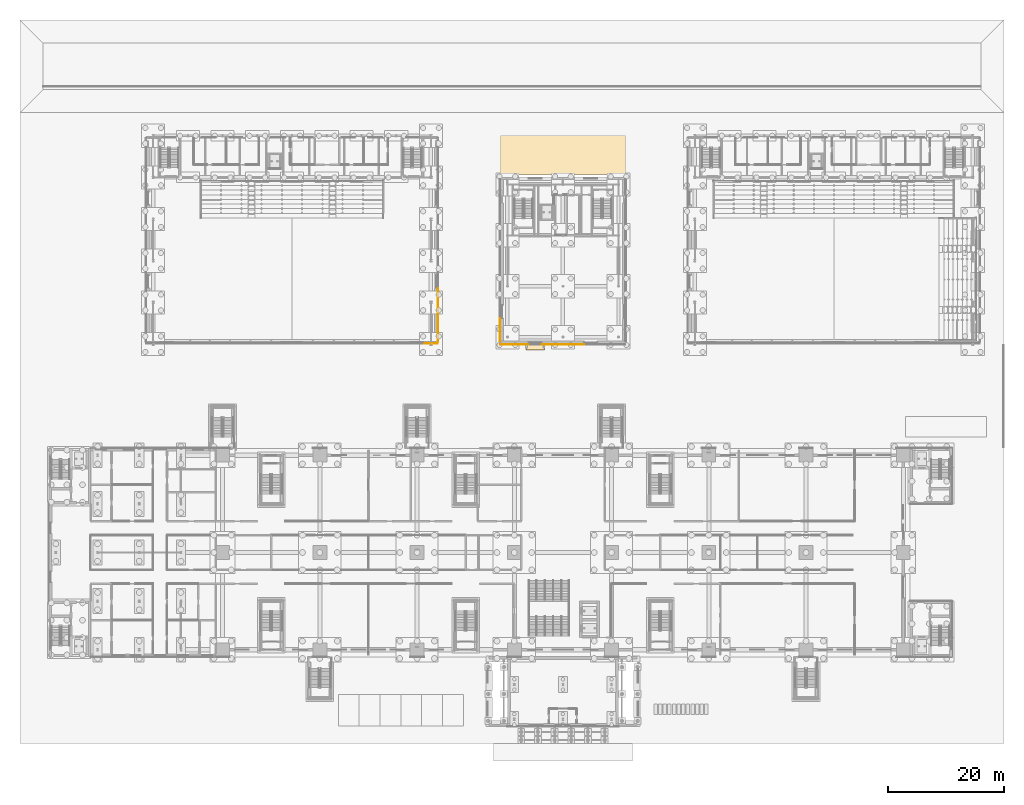
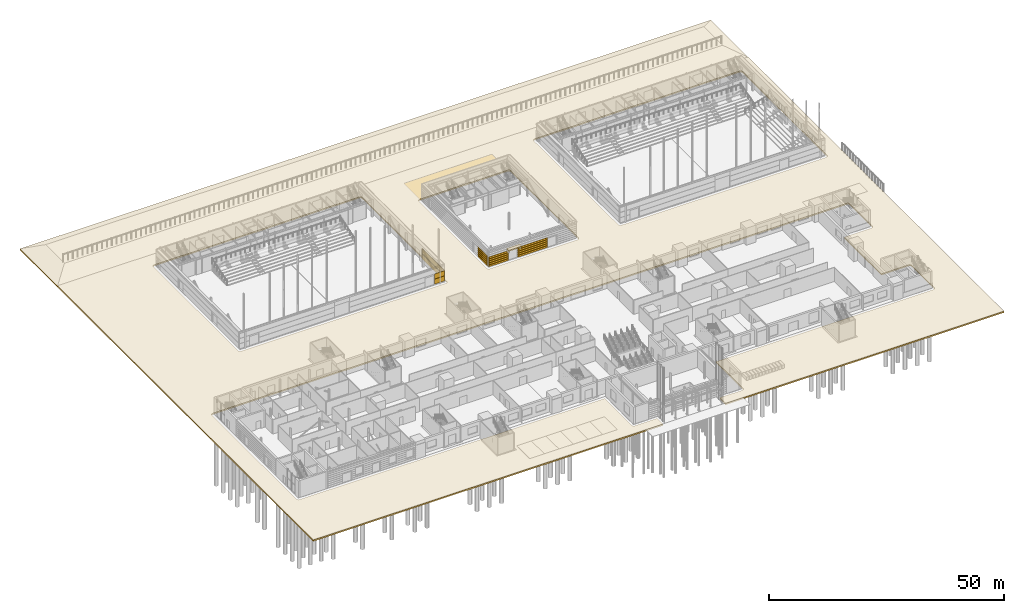
# One storey, part 125 of 139: 21 coverings.
"""IFC4 building model written with IfcOpenShell, lengths in metres."""

from ifc_helpers import new_model, si_unit, direction, frame, origin, origin_2d, place, context, subcontext, project, spatial, polyline, rectangle, outline, extrude, material, layer, layer_set, type_object, element, save


model = new_model("IFC4")

# Units and contexts
model_context = context("Model", 3, precision=1e-05, world=origin(), true_north=direction((0.0, 1.0)))
body_context = subcontext(model_context, "Body", "Model", "MODEL_VIEW")
ifc_project = project(units=[si_unit("LENGTHUNIT", "METRE"), si_unit("AREAUNIT", "SQUARE_METRE"), si_unit("VOLUMEUNIT", "CUBIC_METRE"), si_unit("PLANEANGLEUNIT", "RADIAN"), si_unit("MASSUNIT", "GRAM", prefix="KILO")], contexts=[model_context])

# Site, building, storey
site_placement = place(None, origin())
site = spatial("IfcSite", under=ifc_project, at=site_placement, CompositionType="ELEMENT")
building_placement = place(site_placement, origin())
building = spatial("IfcBuilding", under=site, at=building_placement, Name="Verrick Yard Athletic Hall", CompositionType="ELEMENT")
storey_placement = place(building_placement, origin())
storey = spatial("IfcBuildingStorey", under=building, at=storey_placement, Name="L00", CompositionType="ELEMENT", Elevation=0.0)

# Coverings
ifc_material_1 = material(Name="Compacted earth fill")
ifc_layer_1 = layer(ifc_material_1, 0.35009765625)
ifc_layer_set_1 = layer_set([ifc_layer_1], Name="Existing ground and fill")
covering_type_1 = type_object("IfcCoveringType", Name="Existing ground and fill", PredefinedType="USERDEFINED", material=ifc_layer_set_1)
covering_1_placement = place(storey_placement, frame((0.0, 0.0, -0.449951171875)))
element("IfcCovering", 1, at=covering_1_placement, inside=storey, type_object=covering_type_1, Name="Existing ground and compacted fill", ObjectType="GROUND", PredefinedType="USERDEFINED", context=body_context, shape_type="SweptSolid", body=[
    extrude(outline(polyline([(5.0, 3.0), (5.0, 128.0), (175.0, 128.0), (175.0, 3.0), (106.510009765625, 3.0), (106.510009765625, 5.489990234375), (112.0, 5.489990234375), (112.0244140625, 5.490478515625), (112.025390625, 5.49072265625), (112.07421875, 5.49560546875), (112.0751953125, 5.49560546875), (112.123291015625, 5.505126953125), (112.12451171875, 5.50537109375), (112.17138671875, 5.519775390625), (112.17236328125, 5.52001953125), (112.217529296875, 5.538818359375), (112.218505859375, 5.539306640625), (112.26171875, 5.562255859375), (112.2626953125, 5.562744140625), (112.303466796875, 5.590087890625), (112.30419921875, 5.5908203125), (112.342041015625, 5.621826171875), (112.343017578125, 5.62255859375), (112.37744140625, 5.656982421875), (112.378173828125, 5.657958984375), (112.4091796875, 5.69580078125), (112.409912109375, 5.696533203125), (112.437255859375, 5.7373046875), (112.437744140625, 5.73828125), (112.460693359375, 5.781494140625), (112.461181640625, 5.782470703125), (112.47998046875, 5.82763671875), (112.480224609375, 5.82861328125), (112.49462890625, 5.87548828125), (112.494873046875, 5.876708984375), (112.50439453125, 5.9248046875), (112.50439453125, 5.92578125), (112.50927734375, 5.974609375), (112.509521484375, 5.9755859375), (112.510009765625, 6.0), (112.510009765625, 17.489990234375), (166.0, 17.489990234375), (166.0244140625, 17.490478515625), (166.025390625, 17.49072265625), (166.07421875, 17.49560546875), (166.0751953125, 17.49560546875), (166.123291015625, 17.505126953125), (166.12451171875, 17.50537109375), (166.17138671875, 17.519775390625), (166.17236328125, 17.52001953125), (166.217529296875, 17.538818359375), (166.218505859375, 17.539306640625), (166.26171875, 17.562255859375), (166.2626953125, 17.562744140625), (166.303466796875, 17.590087890625), (166.30419921875, 17.5908203125), (166.342041015625, 17.621826171875), (166.343017578125, 17.62255859375), (166.37744140625, 17.656982421875), (166.378173828125, 17.657958984375), (166.4091796875, 17.69580078125), (166.409912109375, 17.696533203125), (166.437255859375, 17.7373046875), (166.437744140625, 17.73828125), (166.460693359375, 17.781494140625), (166.461181640625, 17.782470703125), (166.47998046875, 17.82763671875), (166.480224609375, 17.82861328125), (166.49462890625, 17.87548828125), (166.494873046875, 17.876708984375), (166.50439453125, 17.9248046875), (166.50439453125, 17.92578125), (166.50927734375, 17.974609375), (166.509521484375, 17.9755859375), (166.510009765625, 18.0), (166.510009765625, 27.60009765625), (166.509521484375, 27.62451171875), (166.50927734375, 27.62548828125), (166.50439453125, 27.67431640625), (166.50439453125, 27.67529296875), (166.494873046875, 27.723388671875), (166.49462890625, 27.724365234375), (166.480224609375, 27.771240234375), (166.47998046875, 27.772216796875), (166.461181640625, 27.817626953125), (166.460693359375, 27.818603515625), (166.437744140625, 27.86181640625), (166.437255859375, 27.862548828125), (166.409912109375, 27.9033203125), (166.4091796875, 27.904296875), (166.378173828125, 27.942138671875), (166.37744140625, 27.94287109375), (166.343017578125, 27.9775390625), (166.342041015625, 27.978271484375), (166.30419921875, 28.00927734375), (166.303466796875, 28.010009765625), (166.2626953125, 28.037109375), (166.26171875, 28.03759765625), (166.218505859375, 28.060791015625), (166.217529296875, 28.061279296875), (166.17236328125, 28.080078125), (166.17138671875, 28.080322265625), (166.12451171875, 28.094482421875), (166.123291015625, 28.0947265625), (166.0751953125, 28.1044921875), (166.07421875, 28.1044921875), (166.025390625, 28.109375), (166.0244140625, 28.109375), (166.0, 28.110107421875), (159.31005859375, 28.110107421875), (159.31005859375, 43.889892578125), (166.0, 43.889892578125), (166.0244140625, 43.890625), (166.025390625, 43.890625), (166.07421875, 43.8955078125), (166.0751953125, 43.8955078125), (166.123291015625, 43.9052734375), (166.12451171875, 43.905517578125), (166.17138671875, 43.919677734375), (166.17236328125, 43.919921875), (166.217529296875, 43.938720703125), (166.218505859375, 43.939208984375), (166.26171875, 43.96240234375), (166.2626953125, 43.962890625), (166.303466796875, 43.989990234375), (166.30419921875, 43.99072265625), (166.342041015625, 44.021728515625), (166.343017578125, 44.0224609375), (166.37744140625, 44.05712890625), (166.378173828125, 44.057861328125), (166.4091796875, 44.095703125), (166.409912109375, 44.0966796875), (166.437255859375, 44.137451171875), (166.437744140625, 44.13818359375), (166.460693359375, 44.181396484375), (166.461181640625, 44.182373046875), (166.47998046875, 44.227783203125), (166.480224609375, 44.228759765625), (166.49462890625, 44.275634765625), (166.494873046875, 44.276611328125), (166.50439453125, 44.32470703125), (166.50439453125, 44.32568359375), (166.50927734375, 44.37451171875), (166.509521484375, 44.37548828125), (166.510009765625, 44.39990234375), (166.510009765625, 54.0), (166.509521484375, 54.0244140625), (166.50927734375, 54.025390625), (166.50439453125, 54.07421875), (166.50439453125, 54.0751953125), (166.494873046875, 54.123291015625), (166.49462890625, 54.12451171875), (166.480224609375, 54.17138671875), (166.47998046875, 54.17236328125), (166.461181640625, 54.217529296875), (166.460693359375, 54.218505859375), (166.437744140625, 54.26171875), (166.437255859375, 54.2626953125), (166.409912109375, 54.303466796875), (166.4091796875, 54.30419921875), (166.378173828125, 54.342041015625), (166.37744140625, 54.343017578125), (166.343017578125, 54.37744140625), (166.342041015625, 54.378173828125), (166.30419921875, 54.4091796875), (166.303466796875, 54.409912109375), (166.2626953125, 54.437255859375), (166.26171875, 54.437744140625), (166.218505859375, 54.460693359375), (166.217529296875, 54.461181640625), (166.17236328125, 54.47998046875), (166.17138671875, 54.480224609375), (166.12451171875, 54.49462890625), (166.123291015625, 54.494873046875), (166.0751953125, 54.50439453125), (166.07421875, 54.50439453125), (166.025390625, 54.50927734375), (166.0244140625, 54.509521484375), (166.0, 54.510009765625), (10.0, 54.510009765625), (9.9755859375, 54.509521484375), (9.974609375, 54.50927734375), (9.92578125, 54.50439453125), (9.9248046875, 54.50439453125), (9.876708984375, 54.494873046875), (9.87548828125, 54.49462890625), (9.82861328125, 54.480224609375), (9.82763671875, 54.47998046875), (9.782470703125, 54.461181640625), (9.781494140625, 54.460693359375), (9.73828125, 54.437744140625), (9.7373046875, 54.437255859375), (9.696533203125, 54.409912109375), (9.69580078125, 54.4091796875), (9.657958984375, 54.378173828125), (9.656982421875, 54.37744140625), (9.62255859375, 54.343017578125), (9.621826171875, 54.342041015625), (9.5908203125, 54.30419921875), (9.590087890625, 54.303466796875), (9.562744140625, 54.2626953125), (9.562255859375, 54.26171875), (9.539306640625, 54.218505859375), (9.538818359375, 54.217529296875), (9.52001953125, 54.17236328125), (9.519775390625, 54.17138671875), (9.50537109375, 54.12451171875), (9.505126953125, 54.123291015625), (9.49560546875, 54.0751953125), (9.49560546875, 54.07421875), (9.49072265625, 54.025390625), (9.490478515625, 54.0244140625), (9.489990234375, 54.0), (9.489990234375, 18.0), (9.490478515625, 17.9755859375), (9.49072265625, 17.974609375), (9.49560546875, 17.92578125), (9.49560546875, 17.9248046875), (9.505126953125, 17.876708984375), (9.50537109375, 17.87548828125), (9.519775390625, 17.82861328125), (9.52001953125, 17.82763671875), (9.538818359375, 17.782470703125), (9.539306640625, 17.781494140625), (9.562255859375, 17.73828125), (9.562744140625, 17.7373046875), (9.590087890625, 17.696533203125), (9.5908203125, 17.69580078125), (9.621826171875, 17.657958984375), (9.62255859375, 17.656982421875), (9.656982421875, 17.62255859375), (9.657958984375, 17.621826171875), (9.69580078125, 17.5908203125), (9.696533203125, 17.590087890625), (9.7373046875, 17.562744140625), (9.73828125, 17.562255859375), (9.781494140625, 17.539306640625), (9.782470703125, 17.538818359375), (9.82763671875, 17.52001953125), (9.82861328125, 17.519775390625), (9.87548828125, 17.50537109375), (9.876708984375, 17.505126953125), (9.9248046875, 17.49560546875), (9.92578125, 17.49560546875), (9.974609375, 17.49072265625), (9.9755859375, 17.490478515625), (10.0, 17.489990234375), (85.090087890625, 17.489990234375), (85.090087890625, 6.0), (85.090576171875, 5.9755859375), (85.0908203125, 5.974609375), (85.095458984375, 5.92578125), (85.095703125, 5.9248046875), (85.105224609375, 5.876708984375), (85.10546875, 5.87548828125), (85.11962890625, 5.82861328125), (85.1201171875, 5.82763671875), (85.138916015625, 5.782470703125), (85.13916015625, 5.781494140625), (85.162353515625, 5.73828125), (85.162841796875, 5.7373046875), (85.190185546875, 5.696533203125), (85.190673828125, 5.69580078125), (85.2216796875, 5.657958984375), (85.222412109375, 5.656982421875), (85.257080078125, 5.62255859375), (85.2578125, 5.621826171875), (85.2958984375, 5.5908203125), (85.296630859375, 5.590087890625), (85.33740234375, 5.562744140625), (85.338134765625, 5.562255859375), (85.381591796875, 5.539306640625), (85.38232421875, 5.538818359375), (85.427734375, 5.52001953125), (85.4287109375, 5.519775390625), (85.4755859375, 5.50537109375), (85.4765625, 5.505126953125), (85.524658203125, 5.49560546875), (85.525634765625, 5.49560546875), (85.574462890625, 5.49072265625), (85.575439453125, 5.490478515625), (85.60009765625, 5.489990234375), (91.090087890625, 5.489990234375), (91.090087890625, 3.0), (5.0, 3.0)]), holes=[polyline([(120.276611328125, 71.505126953125), (120.32470703125, 71.49560546875), (120.32568359375, 71.49560546875), (120.37451171875, 71.49072265625), (120.37548828125, 71.490478515625), (120.39990234375, 71.489990234375), (170.800048828125, 71.489990234375), (170.824462890625, 71.490478515625), (170.825439453125, 71.49072265625), (170.874267578125, 71.49560546875), (170.875244140625, 71.49560546875), (170.92333984375, 71.505126953125), (170.92431640625, 71.50537109375), (170.97119140625, 71.519775390625), (170.972412109375, 71.52001953125), (171.017578125, 71.538818359375), (171.0185546875, 71.539306640625), (171.061767578125, 71.562255859375), (171.0625, 71.562744140625), (171.103515625, 71.590087890625), (171.104248046875, 71.5908203125), (171.14208984375, 71.621826171875), (171.142822265625, 71.62255859375), (171.177490234375, 71.656982421875), (171.17822265625, 71.657958984375), (171.209228515625, 71.69580078125), (171.2099609375, 71.696533203125), (171.2373046875, 71.7373046875), (171.23779296875, 71.73828125), (171.2607421875, 71.781494140625), (171.26123046875, 71.782470703125), (171.280029296875, 71.82763671875), (171.2802734375, 71.82861328125), (171.294677734375, 71.87548828125), (171.294921875, 71.876708984375), (171.304443359375, 71.9248046875), (171.304443359375, 71.92578125), (171.309326171875, 71.974609375), (171.309326171875, 71.9755859375), (171.31005859375, 72.0), (171.31005859375, 108.0), (171.309326171875, 108.0244140625), (171.309326171875, 108.025390625), (171.304443359375, 108.07421875), (171.304443359375, 108.0751953125), (171.294921875, 108.123291015625), (171.294677734375, 108.12451171875), (171.2802734375, 108.17138671875), (171.280029296875, 108.17236328125), (171.26123046875, 108.217529296875), (171.2607421875, 108.218505859375), (171.23779296875, 108.26171875), (171.2373046875, 108.2626953125), (171.2099609375, 108.303466796875), (171.209228515625, 108.30419921875), (171.17822265625, 108.342041015625), (171.177490234375, 108.343017578125), (171.142822265625, 108.37744140625), (171.14208984375, 108.378173828125), (171.104248046875, 108.4091796875), (171.103515625, 108.409912109375), (171.0625, 108.437255859375), (171.061767578125, 108.437744140625), (171.0185546875, 108.460693359375), (171.017578125, 108.461181640625), (170.972412109375, 108.47998046875), (170.97119140625, 108.480224609375), (170.92431640625, 108.49462890625), (170.92333984375, 108.494873046875), (170.875244140625, 108.50439453125), (170.874267578125, 108.50439453125), (170.825439453125, 108.50927734375), (170.824462890625, 108.509521484375), (170.800048828125, 108.510009765625), (120.39990234375, 108.510009765625), (120.37548828125, 108.509521484375), (120.37451171875, 108.50927734375), (120.32568359375, 108.50439453125), (120.32470703125, 108.50439453125), (120.276611328125, 108.494873046875), (120.275634765625, 108.49462890625), (120.228759765625, 108.480224609375), (120.227783203125, 108.47998046875), (120.182373046875, 108.461181640625), (120.181396484375, 108.460693359375), (120.13818359375, 108.437744140625), (120.137451171875, 108.437255859375), (120.0966796875, 108.409912109375), (120.095703125, 108.4091796875), (120.057861328125, 108.378173828125), (120.05712890625, 108.37744140625), (120.0224609375, 108.343017578125), (120.021728515625, 108.342041015625), (119.99072265625, 108.30419921875), (119.989990234375, 108.303466796875), (119.962890625, 108.2626953125), (119.96240234375, 108.26171875), (119.939208984375, 108.218505859375), (119.938720703125, 108.217529296875), (119.919921875, 108.17236328125), (119.919677734375, 108.17138671875), (119.905517578125, 108.12451171875), (119.9052734375, 108.123291015625), (119.8955078125, 108.0751953125), (119.8955078125, 108.07421875), (119.890625, 108.025390625), (119.890625, 108.0244140625), (119.889892578125, 108.0), (119.889892578125, 72.0), (119.890625, 71.9755859375), (119.890625, 71.974609375), (119.8955078125, 71.92578125), (119.8955078125, 71.9248046875), (119.9052734375, 71.876708984375), (119.905517578125, 71.87548828125), (119.919677734375, 71.82861328125), (119.919921875, 71.82763671875), (119.938720703125, 71.782470703125), (119.939208984375, 71.781494140625), (119.96240234375, 71.73828125), (119.962890625, 71.7373046875), (119.989990234375, 71.696533203125), (119.99072265625, 71.69580078125), (120.021728515625, 71.657958984375), (120.0224609375, 71.656982421875), (120.05712890625, 71.62255859375), (120.057861328125, 71.621826171875), (120.095703125, 71.5908203125), (120.0966796875, 71.590087890625), (120.137451171875, 71.562744140625), (120.13818359375, 71.562255859375), (120.181396484375, 71.539306640625), (120.182373046875, 71.538818359375), (120.227783203125, 71.52001953125), (120.228759765625, 71.519775390625), (120.275634765625, 71.50537109375), (120.276611328125, 71.505126953125)]), polyline([(87.876708984375, 71.505126953125), (87.9248046875, 71.49560546875), (87.92578125, 71.49560546875), (87.974609375, 71.49072265625), (87.9755859375, 71.490478515625), (88.0, 71.489990234375), (109.60009765625, 71.489990234375), (109.62451171875, 71.490478515625), (109.62548828125, 71.49072265625), (109.67431640625, 71.49560546875), (109.67529296875, 71.49560546875), (109.723388671875, 71.505126953125), (109.724365234375, 71.50537109375), (109.771240234375, 71.519775390625), (109.772216796875, 71.52001953125), (109.817626953125, 71.538818359375), (109.818603515625, 71.539306640625), (109.86181640625, 71.562255859375), (109.862548828125, 71.562744140625), (109.9033203125, 71.590087890625), (109.904296875, 71.5908203125), (109.942138671875, 71.621826171875), (109.94287109375, 71.62255859375), (109.9775390625, 71.656982421875), (109.978271484375, 71.657958984375), (110.00927734375, 71.69580078125), (110.010009765625, 71.696533203125), (110.037109375, 71.7373046875), (110.03759765625, 71.73828125), (110.060791015625, 71.781494140625), (110.061279296875, 71.782470703125), (110.080078125, 71.82763671875), (110.080322265625, 71.82861328125), (110.094482421875, 71.87548828125), (110.0947265625, 71.876708984375), (110.1044921875, 71.9248046875), (110.1044921875, 71.92578125), (110.109375, 71.974609375), (110.109375, 71.9755859375), (110.110107421875, 72.0), (110.110107421875, 100.800048828125), (110.109375, 100.824462890625), (110.109375, 100.825439453125), (110.1044921875, 100.874267578125), (110.1044921875, 100.875244140625), (110.0947265625, 100.92333984375), (110.094482421875, 100.92431640625), (110.080322265625, 100.97119140625), (110.080078125, 100.972412109375), (110.061279296875, 101.017578125), (110.060791015625, 101.0185546875), (110.03759765625, 101.061767578125), (110.037109375, 101.0625), (110.010009765625, 101.103515625), (110.00927734375, 101.104248046875), (109.978271484375, 101.14208984375), (109.9775390625, 101.142822265625), (109.94287109375, 101.177490234375), (109.942138671875, 101.17822265625), (109.904296875, 101.209228515625), (109.9033203125, 101.2099609375), (109.862548828125, 101.2373046875), (109.86181640625, 101.23779296875), (109.818603515625, 101.2607421875), (109.817626953125, 101.26123046875), (109.772216796875, 101.280029296875), (109.771240234375, 101.2802734375), (109.724365234375, 101.294677734375), (109.723388671875, 101.294921875), (109.67529296875, 101.304443359375), (109.67431640625, 101.304443359375), (109.62548828125, 101.309326171875), (109.62451171875, 101.309326171875), (109.60009765625, 101.31005859375), (88.0, 101.31005859375), (87.9755859375, 101.309326171875), (87.974609375, 101.309326171875), (87.92578125, 101.304443359375), (87.9248046875, 101.304443359375), (87.876708984375, 101.294921875), (87.87548828125, 101.294677734375), (87.82861328125, 101.2802734375), (87.82763671875, 101.280029296875), (87.782470703125, 101.26123046875), (87.781494140625, 101.2607421875), (87.73828125, 101.23779296875), (87.7373046875, 101.2373046875), (87.696533203125, 101.2099609375), (87.69580078125, 101.209228515625), (87.657958984375, 101.17822265625), (87.656982421875, 101.177490234375), (87.62255859375, 101.142822265625), (87.621826171875, 101.14208984375), (87.5908203125, 101.104248046875), (87.590087890625, 101.103515625), (87.562744140625, 101.0625), (87.562255859375, 101.061767578125), (87.539306640625, 101.0185546875), (87.538818359375, 101.017578125), (87.52001953125, 100.972412109375), (87.519775390625, 100.97119140625), (87.50537109375, 100.92431640625), (87.505126953125, 100.92333984375), (87.49560546875, 100.875244140625), (87.49560546875, 100.874267578125), (87.49072265625, 100.825439453125), (87.490478515625, 100.824462890625), (87.489990234375, 100.800048828125), (87.489990234375, 72.0), (87.490478515625, 71.9755859375), (87.49072265625, 71.974609375), (87.49560546875, 71.92578125), (87.49560546875, 71.9248046875), (87.505126953125, 71.876708984375), (87.50537109375, 71.87548828125), (87.519775390625, 71.82861328125), (87.52001953125, 71.82763671875), (87.538818359375, 71.782470703125), (87.539306640625, 71.781494140625), (87.562255859375, 71.73828125), (87.562744140625, 71.7373046875), (87.590087890625, 71.696533203125), (87.5908203125, 71.69580078125), (87.621826171875, 71.657958984375), (87.62255859375, 71.656982421875), (87.656982421875, 71.62255859375), (87.657958984375, 71.621826171875), (87.69580078125, 71.5908203125), (87.696533203125, 71.590087890625), (87.7373046875, 71.562744140625), (87.73828125, 71.562255859375), (87.781494140625, 71.539306640625), (87.782470703125, 71.538818359375), (87.82763671875, 71.52001953125), (87.82861328125, 71.519775390625), (87.87548828125, 71.50537109375), (87.876708984375, 71.505126953125)]), polyline([(26.7255859375, 71.49560546875), (26.7744140625, 71.49072265625), (26.775390625, 71.490478515625), (26.800048828125, 71.489990234375), (77.199951171875, 71.489990234375), (77.224609375, 71.490478515625), (77.2255859375, 71.49072265625), (77.2744140625, 71.49560546875), (77.275390625, 71.49560546875), (77.323486328125, 71.505126953125), (77.324462890625, 71.50537109375), (77.371337890625, 71.519775390625), (77.372314453125, 71.52001953125), (77.41748046875, 71.538818359375), (77.41845703125, 71.539306640625), (77.4619140625, 71.562255859375), (77.462646484375, 71.562744140625), (77.50341796875, 71.590087890625), (77.504150390625, 71.5908203125), (77.5419921875, 71.621826171875), (77.54296875, 71.62255859375), (77.577392578125, 71.656982421875), (77.578125, 71.657958984375), (77.609375, 71.69580078125), (77.60986328125, 71.696533203125), (77.63720703125, 71.7373046875), (77.6376953125, 71.73828125), (77.660888671875, 71.781494140625), (77.6611328125, 71.782470703125), (77.679931640625, 71.82763671875), (77.680419921875, 71.82861328125), (77.694580078125, 71.87548828125), (77.69482421875, 71.876708984375), (77.704345703125, 71.9248046875), (77.70458984375, 71.92578125), (77.709228515625, 71.974609375), (77.70947265625, 71.9755859375), (77.7099609375, 72.0), (77.7099609375, 108.0), (77.70947265625, 108.0244140625), (77.709228515625, 108.025390625), (77.70458984375, 108.07421875), (77.704345703125, 108.0751953125), (77.69482421875, 108.123291015625), (77.694580078125, 108.12451171875), (77.680419921875, 108.17138671875), (77.679931640625, 108.17236328125), (77.6611328125, 108.217529296875), (77.660888671875, 108.218505859375), (77.6376953125, 108.26171875), (77.63720703125, 108.2626953125), (77.60986328125, 108.303466796875), (77.609375, 108.30419921875), (77.578125, 108.342041015625), (77.577392578125, 108.343017578125), (77.54296875, 108.37744140625), (77.5419921875, 108.378173828125), (77.504150390625, 108.4091796875), (77.50341796875, 108.409912109375), (77.462646484375, 108.437255859375), (77.4619140625, 108.437744140625), (77.41845703125, 108.460693359375), (77.41748046875, 108.461181640625), (77.372314453125, 108.47998046875), (77.371337890625, 108.480224609375), (77.324462890625, 108.49462890625), (77.323486328125, 108.494873046875), (77.275390625, 108.50439453125), (77.2744140625, 108.50439453125), (77.2255859375, 108.50927734375), (77.224609375, 108.509521484375), (77.199951171875, 108.510009765625), (26.800048828125, 108.510009765625), (26.775390625, 108.509521484375), (26.7744140625, 108.50927734375), (26.7255859375, 108.50439453125), (26.724609375, 108.50439453125), (26.676513671875, 108.494873046875), (26.675537109375, 108.49462890625), (26.628662109375, 108.480224609375), (26.627685546875, 108.47998046875), (26.58251953125, 108.461181640625), (26.58154296875, 108.460693359375), (26.5380859375, 108.437744140625), (26.537353515625, 108.437255859375), (26.49658203125, 108.409912109375), (26.495849609375, 108.4091796875), (26.4580078125, 108.378173828125), (26.45703125, 108.37744140625), (26.422607421875, 108.343017578125), (26.421875, 108.342041015625), (26.390625, 108.30419921875), (26.39013671875, 108.303466796875), (26.36279296875, 108.2626953125), (26.3623046875, 108.26171875), (26.339111328125, 108.218505859375), (26.3388671875, 108.217529296875), (26.320068359375, 108.17236328125), (26.319580078125, 108.17138671875), (26.305419921875, 108.12451171875), (26.30517578125, 108.123291015625), (26.295654296875, 108.0751953125), (26.29541015625, 108.07421875), (26.290771484375, 108.025390625), (26.29052734375, 108.0244140625), (26.2900390625, 108.0), (26.2900390625, 72.0), (26.29052734375, 71.9755859375), (26.290771484375, 71.974609375), (26.29541015625, 71.92578125), (26.295654296875, 71.9248046875), (26.30517578125, 71.876708984375), (26.305419921875, 71.87548828125), (26.319580078125, 71.82861328125), (26.320068359375, 71.82763671875), (26.3388671875, 71.782470703125), (26.339111328125, 71.781494140625), (26.3623046875, 71.73828125), (26.36279296875, 71.7373046875), (26.39013671875, 71.696533203125), (26.390625, 71.69580078125), (26.421875, 71.657958984375), (26.422607421875, 71.656982421875), (26.45703125, 71.62255859375), (26.4580078125, 71.621826171875), (26.495849609375, 71.5908203125), (26.49658203125, 71.590087890625), (26.537353515625, 71.562744140625), (26.5380859375, 71.562255859375), (26.58154296875, 71.539306640625), (26.58251953125, 71.538818359375), (26.627685546875, 71.52001953125), (26.628662109375, 71.519775390625), (26.675537109375, 71.50537109375), (26.676513671875, 71.505126953125), (26.724609375, 71.49560546875), (26.7255859375, 71.49560546875)])]), origin(), (0.0, 0.0, 1.0), 0.349853515625),
])
ifc_material_2 = material(Name="Tyndall-stone-look precast cladding", Category="masonry")
ifc_layer_2 = layer(ifc_material_2, 0.125)
ifc_layer_set_2 = layer_set([ifc_layer_2], Name="Stone cladding")
covering_type_2 = type_object("IfcCoveringType", Name="Stone cladding", PredefinedType="CLADDING", material=ifc_layer_set_2)
for number, where, z_axis, x_axis, name in (
    (2, (87.96240234375, 74.47509765625, 0.125), (0.0, 0.0, 1.0), (0.0, 1.0, 0.0), "Climbing hall rustication"),
    (3, (87.96240234375, 74.47509765625, 0.643798828125), (0.0, 0.0, 1.0), (0.0, 1.0, 0.0), "Climbing hall rustication"),
    (4, (87.96240234375, 74.47509765625, 1.16259765625), (0.0, 0.0, 1.0), (0.0, 1.0, 0.0), "Climbing hall rustication"),
    (5, (87.96240234375, 74.47509765625, 1.68115234375), (0.0, 0.0, 1.0), (0.0, 1.0, 0.0), "Climbing hall rustication"),
    (6, (87.96240234375, 74.47509765625, 2.199951171875), (0.0, 0.0, 1.0), (0.0, 1.0, 0.0), "Climbing hall rustication"),
):
    element("IfcCovering", number, at=place(storey_placement, frame(where, z_axis=z_axis, x_axis=x_axis)), inside=storey, type_object=covering_type_2, Name=name, PredefinedType="CLADDING", context=body_context, shape_type="SweptSolid", body=[
        extrude(rectangle(XDim=3.949951171875, YDim=0.074951171875, at=origin_2d()), origin(), (0.0, 0.0, 1.0), 0.46875),
    ])
covering_2_placement = place(storey_placement, frame((90.425048828125, 71.96240234375, 0.125), z_axis=(0.0, 0.0, 1.0), x_axis=(1.0, 0.0, 0.0)))
element("IfcCovering", 7, at=covering_2_placement, inside=storey, type_object=covering_type_2, Name="Climbing hall rustication", PredefinedType="CLADDING", context=body_context, shape_type="SweptSolid", body=[
    extrude(rectangle(XDim=4.85009765625, YDim=0.074951171875, at=origin_2d()), origin(), (0.0, 0.0, 1.0), 0.46875),
])
covering_3_placement = place(storey_placement, frame((98.800048828125, 71.96240234375, 0.125), z_axis=(0.0, 0.0, 1.0), x_axis=(1.0, 0.0, 0.0)))
element("IfcCovering", 8, at=covering_3_placement, inside=storey, type_object=covering_type_2, Name="Climbing hall rustication", PredefinedType="CLADDING", context=body_context, shape_type="SweptSolid", body=[
    extrude(rectangle(XDim=7.300048828125, YDim=0.074951171875, at=origin_2d()), origin(), (0.0, 0.0, 1.0), 0.46875),
])
covering_4_placement = place(storey_placement, frame((90.425048828125, 71.96240234375, 0.643798828125), z_axis=(0.0, 0.0, 1.0), x_axis=(1.0, 0.0, 0.0)))
element("IfcCovering", 9, at=covering_4_placement, inside=storey, type_object=covering_type_2, Name="Climbing hall rustication", PredefinedType="CLADDING", context=body_context, shape_type="SweptSolid", body=[
    extrude(rectangle(XDim=4.85009765625, YDim=0.074951171875, at=origin_2d()), origin(), (0.0, 0.0, 1.0), 0.46875),
])
covering_5_placement = place(storey_placement, frame((98.800048828125, 71.96240234375, 0.643798828125), z_axis=(0.0, 0.0, 1.0), x_axis=(1.0, 0.0, 0.0)))
element("IfcCovering", 10, at=covering_5_placement, inside=storey, type_object=covering_type_2, Name="Climbing hall rustication", PredefinedType="CLADDING", context=body_context, shape_type="SweptSolid", body=[
    extrude(rectangle(XDim=7.300048828125, YDim=0.074951171875, at=origin_2d()), origin(), (0.0, 0.0, 1.0), 0.46875),
])
covering_6_placement = place(storey_placement, frame((90.425048828125, 71.96240234375, 1.16259765625), z_axis=(0.0, 0.0, 1.0), x_axis=(1.0, 0.0, 0.0)))
element("IfcCovering", 11, at=covering_6_placement, inside=storey, type_object=covering_type_2, Name="Climbing hall rustication", PredefinedType="CLADDING", context=body_context, shape_type="SweptSolid", body=[
    extrude(rectangle(XDim=4.85009765625, YDim=0.074951171875, at=origin_2d()), origin(), (0.0, 0.0, 1.0), 0.46875),
])
covering_7_placement = place(storey_placement, frame((98.800048828125, 71.96240234375, 1.16259765625), z_axis=(0.0, 0.0, 1.0), x_axis=(1.0, 0.0, 0.0)))
element("IfcCovering", 12, at=covering_7_placement, inside=storey, type_object=covering_type_2, Name="Climbing hall rustication", PredefinedType="CLADDING", context=body_context, shape_type="SweptSolid", body=[
    extrude(rectangle(XDim=7.300048828125, YDim=0.074951171875, at=origin_2d()), origin(), (0.0, 0.0, 1.0), 0.46875),
])
covering_8_placement = place(storey_placement, frame((90.425048828125, 71.96240234375, 1.68115234375), z_axis=(0.0, 0.0, 1.0), x_axis=(1.0, 0.0, 0.0)))
element("IfcCovering", 13, at=covering_8_placement, inside=storey, type_object=covering_type_2, Name="Climbing hall rustication", PredefinedType="CLADDING", context=body_context, shape_type="SweptSolid", body=[
    extrude(rectangle(XDim=4.85009765625, YDim=0.074951171875, at=origin_2d()), origin(), (0.0, 0.0, 1.0), 0.46875),
])
covering_9_placement = place(storey_placement, frame((98.800048828125, 71.96240234375, 1.68115234375), z_axis=(0.0, 0.0, 1.0), x_axis=(1.0, 0.0, 0.0)))
element("IfcCovering", 14, at=covering_9_placement, inside=storey, type_object=covering_type_2, Name="Climbing hall rustication", PredefinedType="CLADDING", context=body_context, shape_type="SweptSolid", body=[
    extrude(rectangle(XDim=7.300048828125, YDim=0.074951171875, at=origin_2d()), origin(), (0.0, 0.0, 1.0), 0.46875),
])
covering_10_placement = place(storey_placement, frame((90.425048828125, 71.96240234375, 2.199951171875), z_axis=(0.0, 0.0, 1.0), x_axis=(1.0, 0.0, 0.0)))
element("IfcCovering", 15, at=covering_10_placement, inside=storey, type_object=covering_type_2, Name="Climbing hall rustication", PredefinedType="CLADDING", context=body_context, shape_type="SweptSolid", body=[
    extrude(rectangle(XDim=4.85009765625, YDim=0.074951171875, at=origin_2d()), origin(), (0.0, 0.0, 1.0), 0.46875),
])
covering_11_placement = place(storey_placement, frame((98.800048828125, 71.96240234375, 2.199951171875), z_axis=(0.0, 0.0, 1.0), x_axis=(1.0, 0.0, 0.0)))
element("IfcCovering", 16, at=covering_11_placement, inside=storey, type_object=covering_type_2, Name="Climbing hall rustication", PredefinedType="CLADDING", context=body_context, shape_type="SweptSolid", body=[
    extrude(rectangle(XDim=7.300048828125, YDim=0.074951171875, at=origin_2d()), origin(), (0.0, 0.0, 1.0), 0.46875),
])
for number, where, z_axis, x_axis, name in (
    (17, (77.237548828125, 77.03466796875, 0.125), (0.0, 0.0, 1.0), (0.0, 1.0, 0.0), "Hall base rustication"),
    (18, (77.237548828125, 77.03466796875, 1.47509765625), (0.0, 0.0, 1.0), (0.0, 1.0, 0.0), "Hall base rustication"),
):
    element("IfcCovering", number, at=place(storey_placement, frame(where, z_axis=z_axis, x_axis=x_axis)), inside=storey, type_object=covering_type_2, Name=name, PredefinedType="CLADDING", context=body_context, shape_type="SweptSolid", body=[
        extrude(rectangle(XDim=9.232421875, YDim=0.074951171875, at=origin_2d()), origin(), (0.0, 0.0, 1.0), 1.300048828125),
    ])
for number, where, z_axis, x_axis, name in (
    (19, (75.97509765625, 72.146484375, 0.125), (0.0, 0.0, 1.0), (1.0, 0.0, 0.0), "Hall front rustication"),
    (20, (75.97509765625, 72.146484375, 1.47509765625), (0.0, 0.0, 1.0), (1.0, 0.0, 0.0), "Hall front rustication"),
):
    element("IfcCovering", number, at=place(storey_placement, frame(where, z_axis=z_axis, x_axis=x_axis)), inside=storey, type_object=covering_type_2, Name=name, PredefinedType="CLADDING", context=body_context, shape_type="SweptSolid", body=[
        extrude(rectangle(XDim=2.449951171875, YDim=0.074951171875, at=origin_2d()), origin(), (0.0, 0.0, 1.0), 1.300048828125),
    ])
ifc_layer_3 = layer(ifc_material_2, 0.25)
ifc_layer_set_3 = layer_set([ifc_layer_3], Name="Stone moulding")
covering_type_3 = type_object("IfcCoveringType", Name="Stone moulding", PredefinedType="MOLDING", material=ifc_layer_set_3)
covering_12_placement = place(storey_placement, frame((94.0, 71.47509765625, 3.10009765625), z_axis=(0.0, 0.0, 1.0), x_axis=(1.0, 0.0, 0.0)))
element("IfcCovering", 21, at=covering_12_placement, inside=storey, type_object=covering_type_3, Name="Entrance hood", PredefinedType="MOLDING", context=body_context, shape_type="SweptSolid", body=[
    extrude(rectangle(XDim=3.199951171875, YDim=0.89990234375, at=origin_2d()), origin(), (0.0, 0.0, 1.0), 0.300048828125),
])

save(model, "model.ifc")
